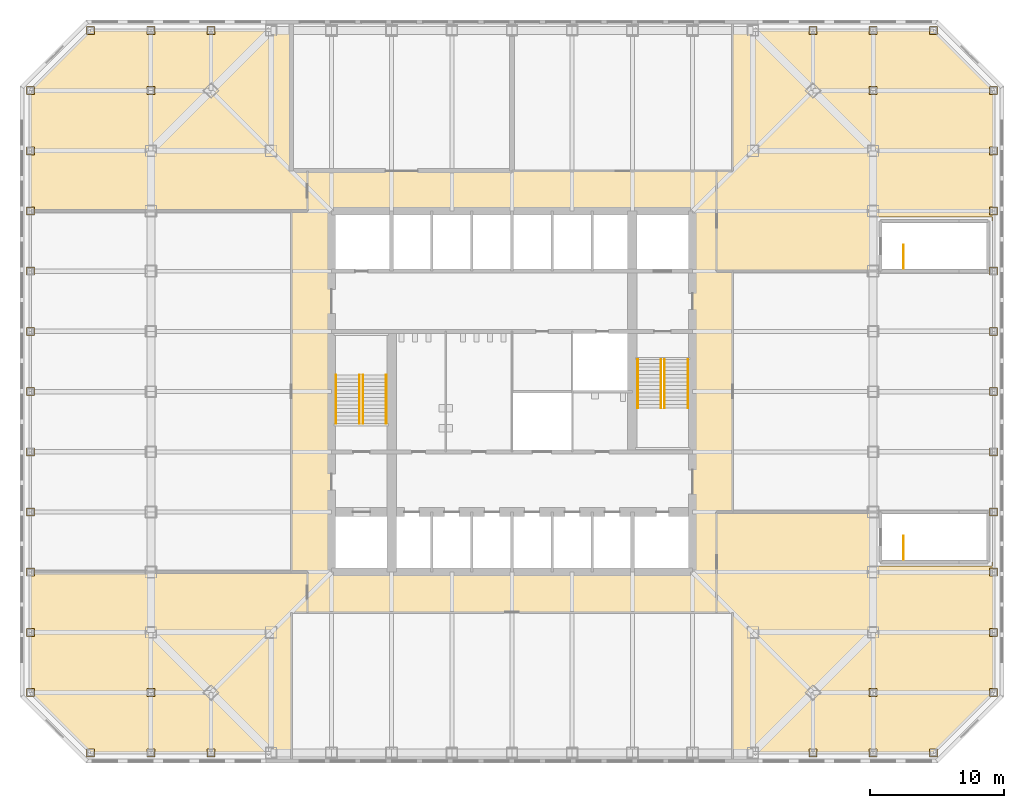
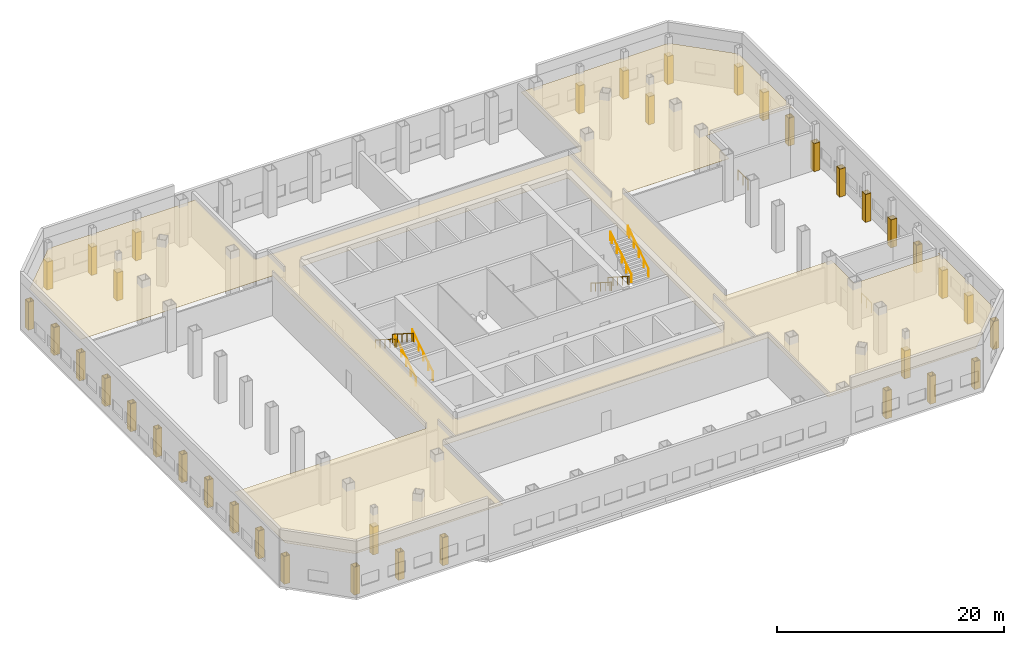
# One storey, part 13 of 14: 39 coverings, 10 railings.
"""IFC4 building model written with IfcOpenShell, lengths in metres."""

import ifcopenshell
import ifcopenshell.guid

model = None  # the IFC model being written
_history = None  # IfcOwnerHistory: only IFC2X3 demands one
_inside = {}  # id of a spatial element -> (the spatial element, [elements in it])
_under = {}  # id of a project, library or spatial element -> (it, [spatial elements below it])
_declared = {}  # id of a project -> (the project, [libraries it declares])
_typed = {}  # id of a type object -> (the type object, [elements of that type])
_made_of = {}  # id of a material, layer set ... -> (it, [elements and type objects made of it])


def new_model(schema):
    """Start an empty IFC model of exactly this schema.

    Asked for "IFC4X3", IfcOpenShell would pick the latest addendum, in which some entities
    have other attributes; the version numbers below select the first issue.
    IFC2X3 requires an IfcOwnerHistory on every rooted entity: one is made here for all.
    """
    global model, _history
    if schema == "IFC4X3":
        model = ifcopenshell.file(schema_version=(4, 3, 0, 0))
    else:
        model = ifcopenshell.file(schema=schema)
    _inside.clear()
    _under.clear()
    _declared.clear()
    _typed.clear()
    _made_of.clear()
    _history = None
    if model.schema == "IFC2X3":
        org = make("IfcOrganization", Name="unknown")
        user = make(
            "IfcPersonAndOrganization",
            ThePerson=make("IfcPerson", FamilyName="unknown"),
            TheOrganization=org,
        )
        app = make(
            "IfcApplication",
            ApplicationDeveloper=org,
            Version="unknown",
            ApplicationFullName="unknown",
            ApplicationIdentifier="unknown",
        )
        _history = make(
            "IfcOwnerHistory",
            OwningUser=user,
            OwningApplication=app,
            ChangeAction="ADDED",
            CreationDate=0,
        )
    return model


def make(cls, **values):
    """One entity of the class cls with the attributes given. An attribute that is None is left unset."""
    return model.create_entity(
        cls, **{name: value for name, value in values.items() if value is not None}
    )


def rooted(cls, **values):
    """An entity with a GlobalId (a new one), such as an element, a storey or a relation."""
    return make(cls, GlobalId=ifcopenshell.guid.new(), OwnerHistory=_history, **values)


def si_unit(unit_type, name, prefix=None):
    """IfcSIUnit, for example si_unit("LENGTHUNIT", "METRE", prefix="MILLI")."""
    return make("IfcSIUnit", UnitType=unit_type, Prefix=prefix, Name=name)


def assignment(units):
    """IfcUnitAssignment: the units of a project."""
    return None if units is None else make("IfcUnitAssignment", Units=units)


def point(xyz):
    """IfcCartesianPoint."""
    return None if xyz is None else make("IfcCartesianPoint", Coordinates=xyz)


def direction(xyz):
    """IfcDirection."""
    return None if xyz is None else make("IfcDirection", DirectionRatios=xyz)


def frame(location, z_axis=None, x_axis=None):
    """IfcAxis2Placement3D, a coordinate frame: its origin and axes. An axis left out is left unset."""
    return make(
        "IfcAxis2Placement3D",
        Location=point(location),
        Axis=direction(z_axis),
        RefDirection=direction(x_axis),
    )


def frame_2d(location, x_axis=None):
    """IfcAxis2Placement2D, a coordinate frame in the plane: its origin and x axis."""
    return make(
        "IfcAxis2Placement2D", Location=point(location), RefDirection=direction(x_axis)
    )


def origin():
    """The frame at (0, 0, 0) with its axes left unset."""
    return frame((0.0, 0.0, 0.0))


def origin_2d():
    """The frame at (0, 0) in the plane with its x axis left unset."""
    return frame_2d((0.0, 0.0))


def place(relative_to, where):
    """IfcLocalPlacement: puts the frame where relative to a parent placement (None: the world)."""
    return make(
        "IfcLocalPlacement", PlacementRelTo=relative_to, RelativePlacement=where
    )


def context(
    kind, dimensions, precision=None, world=None, true_north=None, identifier=None
):
    """IfcGeometricRepresentationContext, for example the 3D "Model" context."""
    return make(
        "IfcGeometricRepresentationContext",
        ContextIdentifier=identifier,
        ContextType=kind,
        CoordinateSpaceDimension=dimensions,
        Precision=precision,
        WorldCoordinateSystem=world,
        TrueNorth=true_north,
    )


def subcontext(parent, identifier, kind, view, scale=None):
    """IfcGeometricRepresentationSubContext, for example "Body" below "Model"."""
    return make(
        "IfcGeometricRepresentationSubContext",
        ContextIdentifier=identifier,
        ContextType=kind,
        ParentContext=parent,
        TargetScale=scale,
        TargetView=view,
    )


def project(units=None, contexts=None):
    """IfcProject with its units and contexts."""
    return rooted(
        "IfcProject",
        Name="project",
        RepresentationContexts=contexts,
        UnitsInContext=assignment(units),
    )


def spatial(cls, under=None, at=None, **own):
    """A site, building, storey or space (cls), placed at a placement, below another one or the project."""
    s = rooted(cls, ObjectPlacement=at, **own)
    if under is not None:
        _under.setdefault(under.id(), (under, []))[1].append(s)
    return s


def polyline(points):
    """IfcPolyline through the points."""
    return make("IfcPolyline", Points=[point(p) for p in points])


def profile(cls, at=None, kind="AREA", **sizes):
    """A parametric profile (cls). Its sizes go by their IFC names, for example OverallWidth=200.0."""
    return make(cls, ProfileType=kind, Position=at, **sizes)


def circle(**sizes):
    """IfcCircleProfileDef."""
    return profile("IfcCircleProfileDef", **sizes)


def outline(outer, holes=None, kind="AREA"):
    """IfcArbitraryClosedProfileDef: a profile drawn as a closed curve; with holes, ...WithVoids."""
    if holes is None:
        return make("IfcArbitraryClosedProfileDef", ProfileType=kind, OuterCurve=outer)
    return make(
        "IfcArbitraryProfileDefWithVoids",
        ProfileType=kind,
        OuterCurve=outer,
        InnerCurves=holes,
    )


def extrude(swept, where, along, depth):
    """IfcExtrudedAreaSolid: the profile swept, set in the frame where, extruded along a direction by depth."""
    return make(
        "IfcExtrudedAreaSolid",
        SweptArea=swept,
        Position=where,
        ExtrudedDirection=direction(along),
        Depth=depth,
    )


def shape(context_of_items, identifier, shape_type, items):
    """IfcShapeRepresentation: the items that make up one representation, for example the "Body"."""
    return make(
        "IfcShapeRepresentation",
        ContextOfItems=context_of_items,
        RepresentationIdentifier=identifier,
        RepresentationType=shape_type,
        Items=items,
    )


def material(Name=None, Category=None):
    """IfcMaterial."""
    return make("IfcMaterial", Name=Name, Category=Category)


def layer(
    of_material, thickness, ventilated=None, Name=None, Category=None, Priority=None
):
    """IfcMaterialLayer: one layer of a wall or slab, of a material (None: an air gap)."""
    return make(
        "IfcMaterialLayer",
        Material=of_material,
        LayerThickness=thickness,
        IsVentilated=ventilated,
        Name=Name,
        Category=Category,
        Priority=Priority,
    )


def layer_set(layers, Name=None):
    """IfcMaterialLayerSet."""
    return make("IfcMaterialLayerSet", MaterialLayers=layers, LayerSetName=Name)


def made_of(thing, what):
    """Note that an element or type object is made of a material, layer set ...; save() writes the relation."""
    if what is not None:
        _made_of.setdefault(what.id(), (what, []))[1].append(thing)
    return thing


def type_object(cls, material=None, **own):
    """A type object (cls), such as IfcWallType, which elements share."""
    return made_of(rooted(cls, **own), material)


def element(
    cls,
    number,
    at=None,
    inside=None,
    cuts=None,
    type_object=None,
    material=None,
    context=None,
    identifier="Body",
    shape_type=None,
    held_by="IfcProductDefinitionShape",
    body=None,
    shapes=None,
    **own,
):
    """One element of the class cls, such as IfcWall. Its Tag is "e" and its number.

    at: its placement. inside: the storey or other place that contains it. cuts: it is an
    opening in that element (IfcRelVoidsElement). A single representation is given by context,
    identifier, shape_type and body (its items); several are given by shapes. held_by: the class
    of the entity that holds the representations. save() writes the other relations.
    """
    e = rooted(cls, Tag="e%d" % number, ObjectPlacement=at, **own)
    if body is not None:
        shapes = [shape(context, identifier, shape_type, body)]
    if shapes is not None:
        e.Representation = make(held_by, Representations=shapes)
    if inside is not None:
        _inside.setdefault(inside.id(), (inside, []))[1].append(e)
    if cuts is not None:
        rooted(
            "IfcRelVoidsElement", RelatingBuildingElement=cuts, RelatedOpeningElement=e
        )
    if type_object is not None:
        _typed.setdefault(type_object.id(), (type_object, []))[1].append(e)
    return made_of(e, material)


def aggregate(whole, parts):
    """IfcRelAggregates: a whole, such as a stair, and the parts it consists of."""
    return rooted("IfcRelAggregates", RelatingObject=whole, RelatedObjects=parts)


def save(model, path):
    """Write the relations noted so far, then the file.

    IfcRelAggregates (storeys below a building ...), IfcRelContainedInSpatialStructure (elements
    in a storey), IfcRelDefinesByType, IfcRelAssociatesMaterial and IfcRelDeclares: one each for
    every whole, place, type object, material and project.
    """
    for whole, parts in _under.values():
        aggregate(whole, parts)
    for where, things in _inside.values():
        rooted(
            "IfcRelContainedInSpatialStructure",
            RelatedElements=things,
            RelatingStructure=where,
        )
    for kind, things in _typed.values():
        rooted("IfcRelDefinesByType", RelatedObjects=things, RelatingType=kind)
    for what, things in _made_of.values():
        rooted("IfcRelAssociatesMaterial", RelatedObjects=things, RelatingMaterial=what)
    for by, libraries in _declared.values():
        rooted("IfcRelDeclares", RelatingContext=by, RelatedDefinitions=libraries)
    model.write(path)


model = new_model("IFC4")

# Units and contexts
model_context = context("Model", 3, precision=1e-05, world=origin(), true_north=direction((0.0, 1.0)))
body_context = subcontext(model_context, "Body", "Model", "MODEL_VIEW")
ifc_project = project(units=[si_unit("LENGTHUNIT", "METRE"), si_unit("AREAUNIT", "SQUARE_METRE"), si_unit("VOLUMEUNIT", "CUBIC_METRE"), si_unit("PLANEANGLEUNIT", "RADIAN"), si_unit("MASSUNIT", "GRAM", prefix="KILO")], contexts=[model_context])

# Site, building, storey
site_placement = place(None, origin())
site = spatial("IfcSite", under=ifc_project, at=site_placement, CompositionType="ELEMENT")
building_placement = place(site_placement, origin())
building = spatial("IfcBuilding", under=site, at=building_placement, Name="Corais Broadcast Tower", CompositionType="ELEMENT")
storey_placement = place(building_placement, frame((0.0, 0.0, 18.0)))
storey = spatial("IfcBuildingStorey", under=building, at=storey_placement, Name="L03", CompositionType="ELEMENT", Elevation=18.0)

# Railings
ifc_material_1 = material(Name="Laminated glass and stainless steel guard", Category="steel")
railing_type_1 = type_object("IfcRailingType", Name="Glass guard 1100", PredefinedType="GUARDRAIL", material=ifc_material_1)
for number, where, name in (
    (1, (56.27490234375, 14.449951171875, 0.0), "GR1 stair well guard L03"),
    (2, (56.27490234375, 36.199951171875, 0.0), "GR1 stair well guard L03"),
):
    element("IfcRailing", number, at=place(storey_placement, frame(where)), inside=storey, type_object=railing_type_1, Name=name, PredefinedType="GUARDRAIL", context=body_context, shape_type="SweptSolid", body=[
        extrude(circle(Radius=0.02392578125, at=origin_2d()), frame((0.0, 0.0, 1.076171875), z_axis=(0.0, 1.0, 0.0), x_axis=(-1.0, 0.0, 0.0)), (0.0, 0.0, 1.0), 1.75),
        extrude(circle(Radius=0.02099609375, at=origin_2d()), origin(), (0.0, 0.0, 1.0), 1.052001953125),
        extrude(circle(Radius=0.02099609375, at=origin_2d()), frame((0.0, 0.875, 0.0)), (0.0, 0.0, 1.0), 1.052001953125),
        extrude(circle(Radius=0.02099609375, at=origin_2d()), frame((0.0, 1.75, 0.0)), (0.0, 0.0, 1.0), 1.052001953125),
    ])
ifc_material_2 = material(Name="Stainless steel handrail", Category="steel")
railing_type_2 = type_object("IfcRailingType", Name="Handrail 920", PredefinedType="HANDRAIL", material=ifc_material_2)
for number, where, name in (
    (3, (17.60009765625, 24.60009765625, 0.178466796875), "HR1 L03"),
    (4, (15.85009765625, 24.60009765625, 0.178466796875), "HR1 L03"),
):
    element("IfcRailing", number, at=place(storey_placement, frame(where)), inside=storey, type_object=railing_type_2, Name=name, PredefinedType="HANDRAIL", context=body_context, shape_type="SweptSolid", body=[
        extrude(circle(Radius=0.02392578125, at=origin_2d()), frame((0.0, 0.0, 0.89599609375), z_axis=(0.0, 0.843111507901, 0.53773877045), x_axis=(-1.0, 0.0, 0.0)), (0.0, 0.0, 1.0), 4.317138671875),
        extrude(circle(Radius=0.02099609375, at=origin_2d()), origin(), (0.0, 0.0, 1.0), 0.871826171875),
        extrude(circle(Radius=0.02099609375, at=origin_2d()), frame((0.0, 0.840087890625, 0.53564453125)), (0.0, 0.0, 1.0), 0.871826171875),
        extrude(circle(Radius=0.02099609375, at=origin_2d()), frame((0.0, 1.679931640625, 1.071533203125)), (0.0, 0.0, 1.0), 0.871826171875),
        extrude(circle(Radius=0.02099609375, at=origin_2d()), frame((0.0, 2.52001953125, 1.607177734375)), (0.0, 0.0, 1.0), 0.871826171875),
        extrude(circle(Radius=0.02099609375, at=origin_2d()), frame((0.0, 3.35986328125, 2.14306640625)), (0.0, 0.0, 1.0), 0.871826171875),
        extrude(circle(Radius=0.02099609375, at=origin_2d()), frame((0.0, 3.639892578125, 2.321533203125)), (0.0, 0.0, 1.0), 0.871826171875),
    ])
for number, where, name in (
    (5, (13.85009765625, 28.239990234375, 2.678466796875), "HR1 L03"),
    (6, (15.60009765625, 28.239990234375, 2.678466796875), "HR1 L03"),
    (7, (36.39990234375, 29.39990234375, 0.178466796875), "HR1 L03"),
    (8, (38.14990234375, 29.39990234375, 0.178466796875), "HR1 L03"),
):
    element("IfcRailing", number, at=place(storey_placement, frame(where)), inside=storey, type_object=railing_type_2, Name=name, PredefinedType="HANDRAIL", context=body_context, shape_type="SweptSolid", body=[
        extrude(circle(Radius=0.02392578125, at=origin_2d()), frame((0.0, 0.0, 0.89599609375), z_axis=(0.0, -0.843111507901, 0.53773877045), x_axis=(1.0, 0.0, 0.0)), (0.0, 0.0, 1.0), 4.317138671875),
        extrude(circle(Radius=0.02099609375, at=origin_2d()), origin(), (0.0, 0.0, 1.0), 0.871826171875),
        extrude(circle(Radius=0.02099609375, at=origin_2d()), frame((0.0, -0.840087890625, 0.53564453125)), (0.0, 0.0, 1.0), 0.871826171875),
        extrude(circle(Radius=0.02099609375, at=origin_2d()), frame((0.0, -1.679931640625, 1.071533203125)), (0.0, 0.0, 1.0), 0.871826171875),
        extrude(circle(Radius=0.02099609375, at=origin_2d()), frame((0.0, -2.52001953125, 1.607177734375)), (0.0, 0.0, 1.0), 0.871826171875),
        extrude(circle(Radius=0.02099609375, at=origin_2d()), frame((0.0, -3.35986328125, 2.14306640625)), (0.0, 0.0, 1.0), 0.871826171875),
        extrude(circle(Radius=0.02099609375, at=origin_2d()), frame((0.0, -3.639892578125, 2.321533203125)), (0.0, 0.0, 1.0), 0.871826171875),
    ])
for number, where, name in (
    (9, (40.14990234375, 25.760009765625, 2.678466796875), "HR1 L03"),
    (10, (38.39990234375, 25.760009765625, 2.678466796875), "HR1 L03"),
):
    element("IfcRailing", number, at=place(storey_placement, frame(where)), inside=storey, type_object=railing_type_2, Name=name, PredefinedType="HANDRAIL", context=body_context, shape_type="SweptSolid", body=[
        extrude(circle(Radius=0.02392578125, at=origin_2d()), frame((0.0, 0.0, 0.89599609375), z_axis=(0.0, 0.843111507901, 0.53773877045), x_axis=(-1.0, 0.0, 0.0)), (0.0, 0.0, 1.0), 4.317138671875),
        extrude(circle(Radius=0.02099609375, at=origin_2d()), origin(), (0.0, 0.0, 1.0), 0.871826171875),
        extrude(circle(Radius=0.02099609375, at=origin_2d()), frame((0.0, 0.840087890625, 0.53564453125)), (0.0, 0.0, 1.0), 0.871826171875),
        extrude(circle(Radius=0.02099609375, at=origin_2d()), frame((0.0, 1.679931640625, 1.071533203125)), (0.0, 0.0, 1.0), 0.871826171875),
        extrude(circle(Radius=0.02099609375, at=origin_2d()), frame((0.0, 2.52001953125, 1.607177734375)), (0.0, 0.0, 1.0), 0.871826171875),
        extrude(circle(Radius=0.02099609375, at=origin_2d()), frame((0.0, 3.35986328125, 2.14306640625)), (0.0, 0.0, 1.0), 0.871826171875),
        extrude(circle(Radius=0.02099609375, at=origin_2d()), frame((0.0, 3.639892578125, 2.321533203125)), (0.0, 0.0, 1.0), 0.871826171875),
    ])

# Coverings
ifc_material_3 = material(Name="Granite stone cladding", Category="masonry")
ifc_layer_1 = layer(ifc_material_3, 0.050048828125)
ifc_layer_set_1 = layer_set([ifc_layer_1], Name="Granite stone cladding")
covering_type_1 = type_object("IfcCoveringType", Name="Pier cladding", PredefinedType="CLADDING", material=ifc_layer_set_1)
covering_1_placement = place(storey_placement, origin())
element("IfcCovering", 11, at=covering_1_placement, inside=storey, type_object=covering_type_1, Name="PC pier cladding L03", PredefinedType="CLADDING", context=body_context, shape_type="SweptSolid", body=[
    extrude(outline(polyline([(-9.300048828125, 4.199951171875), (-8.699951171875, 4.199951171875), (-8.699951171875, 4.800048828125), (-9.300048828125, 4.800048828125), (-9.300048828125, 4.199951171875)]), holes=[polyline([(-9.25, 4.25), (-8.75, 4.25), (-8.75, 4.75), (-9.25, 4.75), (-9.25, 4.25)])]), origin(), (0.0, 0.0, 1.0), 3.0),
])
covering_2_placement = place(storey_placement, origin())
element("IfcCovering", 12, at=covering_2_placement, inside=storey, type_object=covering_type_1, Name="PC pier cladding L03", PredefinedType="CLADDING", context=body_context, shape_type="SweptSolid", body=[
    extrude(outline(polyline([(62.699951171875, 4.199951171875), (63.300048828125, 4.199951171875), (63.300048828125, 4.800048828125), (62.699951171875, 4.800048828125), (62.699951171875, 4.199951171875)]), holes=[polyline([(62.75, 4.25), (63.25, 4.25), (63.25, 4.75), (62.75, 4.75), (62.75, 4.25)])]), origin(), (0.0, 0.0, 1.0), 3.0),
])
covering_3_placement = place(storey_placement, origin())
element("IfcCovering", 13, at=covering_3_placement, inside=storey, type_object=covering_type_1, Name="PC pier cladding L03", PredefinedType="CLADDING", context=body_context, shape_type="SweptSolid", body=[
    extrude(outline(polyline([(-9.300048828125, 8.699951171875), (-8.699951171875, 8.699951171875), (-8.699951171875, 9.300048828125), (-9.300048828125, 9.300048828125), (-9.300048828125, 8.699951171875)]), holes=[polyline([(-9.25, 8.75), (-8.75, 8.75), (-8.75, 9.25), (-9.25, 9.25), (-9.25, 8.75)])]), origin(), (0.0, 0.0, 1.0), 3.0),
])
covering_4_placement = place(storey_placement, origin())
element("IfcCovering", 14, at=covering_4_placement, inside=storey, type_object=covering_type_1, Name="PC pier cladding L03", PredefinedType="CLADDING", context=body_context, shape_type="SweptSolid", body=[
    extrude(outline(polyline([(62.699951171875, 8.699951171875), (63.300048828125, 8.699951171875), (63.300048828125, 9.300048828125), (62.699951171875, 9.300048828125), (62.699951171875, 8.699951171875)]), holes=[polyline([(62.75, 8.75), (63.25, 8.75), (63.25, 9.25), (62.75, 9.25), (62.75, 8.75)])]), origin(), (0.0, 0.0, 1.0), 3.0),
])
covering_5_placement = place(storey_placement, origin())
element("IfcCovering", 15, at=covering_5_placement, inside=storey, type_object=covering_type_1, Name="PC pier cladding L03", PredefinedType="CLADDING", context=body_context, shape_type="SweptSolid", body=[
    extrude(outline(polyline([(-9.300048828125, 13.199951171875), (-8.699951171875, 13.199951171875), (-8.699951171875, 13.800048828125), (-9.300048828125, 13.800048828125), (-9.300048828125, 13.199951171875)]), holes=[polyline([(-9.25, 13.25), (-8.75, 13.25), (-8.75, 13.75), (-9.25, 13.75), (-9.25, 13.25)])]), origin(), (0.0, 0.0, 1.0), 3.0),
])
covering_6_placement = place(storey_placement, origin())
element("IfcCovering", 16, at=covering_6_placement, inside=storey, type_object=covering_type_1, Name="PC pier cladding L03", PredefinedType="CLADDING", context=body_context, shape_type="SweptSolid", body=[
    extrude(outline(polyline([(62.699951171875, 13.199951171875), (63.300048828125, 13.199951171875), (63.300048828125, 13.800048828125), (62.699951171875, 13.800048828125), (62.699951171875, 13.199951171875)]), holes=[polyline([(62.75, 13.25), (63.25, 13.25), (63.25, 13.75), (62.75, 13.75), (62.75, 13.25)])]), origin(), (0.0, 0.0, 1.0), 3.0),
])
covering_7_placement = place(storey_placement, origin())
element("IfcCovering", 17, at=covering_7_placement, inside=storey, type_object=covering_type_1, Name="PC pier cladding L03", PredefinedType="CLADDING", context=body_context, shape_type="SweptSolid", body=[
    extrude(outline(polyline([(-9.300048828125, 17.699951171875), (-8.699951171875, 17.699951171875), (-8.699951171875, 18.300048828125), (-9.300048828125, 18.300048828125), (-9.300048828125, 17.699951171875)]), holes=[polyline([(-9.25, 17.75), (-8.75, 17.75), (-8.75, 18.25), (-9.25, 18.25), (-9.25, 17.75)])]), origin(), (0.0, 0.0, 1.0), 3.0),
])
covering_8_placement = place(storey_placement, origin())
element("IfcCovering", 18, at=covering_8_placement, inside=storey, type_object=covering_type_1, Name="PC pier cladding L03", PredefinedType="CLADDING", context=body_context, shape_type="SweptSolid", body=[
    extrude(outline(polyline([(62.699951171875, 17.699951171875), (63.300048828125, 17.699951171875), (63.300048828125, 18.300048828125), (62.699951171875, 18.300048828125), (62.699951171875, 17.699951171875)]), holes=[polyline([(62.75, 17.75), (63.25, 17.75), (63.25, 18.25), (62.75, 18.25), (62.75, 17.75)])]), origin(), (0.0, 0.0, 1.0), 3.0),
])
covering_9_placement = place(storey_placement, origin())
element("IfcCovering", 19, at=covering_9_placement, inside=storey, type_object=covering_type_1, Name="PC pier cladding L03", PredefinedType="CLADDING", context=body_context, shape_type="SweptSolid", body=[
    extrude(outline(polyline([(-9.300048828125, 22.199951171875), (-8.699951171875, 22.199951171875), (-8.699951171875, 22.800048828125), (-9.300048828125, 22.800048828125), (-9.300048828125, 22.199951171875)]), holes=[polyline([(-9.25, 22.25), (-8.75, 22.25), (-8.75, 22.75), (-9.25, 22.75), (-9.25, 22.25)])]), origin(), (0.0, 0.0, 1.0), 3.0),
])
covering_10_placement = place(storey_placement, origin())
element("IfcCovering", 20, at=covering_10_placement, inside=storey, type_object=covering_type_1, Name="PC pier cladding L03", PredefinedType="CLADDING", context=body_context, shape_type="SweptSolid", body=[
    extrude(outline(polyline([(62.699951171875, 22.199951171875), (63.300048828125, 22.199951171875), (63.300048828125, 22.800048828125), (62.699951171875, 22.800048828125), (62.699951171875, 22.199951171875)]), holes=[polyline([(62.75, 22.25), (63.25, 22.25), (63.25, 22.75), (62.75, 22.75), (62.75, 22.25)])]), origin(), (0.0, 0.0, 1.0), 3.0),
])
covering_11_placement = place(storey_placement, origin())
element("IfcCovering", 21, at=covering_11_placement, inside=storey, type_object=covering_type_1, Name="PC pier cladding L03", PredefinedType="CLADDING", context=body_context, shape_type="SweptSolid", body=[
    extrude(outline(polyline([(-9.300048828125, 26.699951171875), (-8.699951171875, 26.699951171875), (-8.699951171875, 27.300048828125), (-9.300048828125, 27.300048828125), (-9.300048828125, 26.699951171875)]), holes=[polyline([(-9.25, 26.75), (-8.75, 26.75), (-8.75, 27.25), (-9.25, 27.25), (-9.25, 26.75)])]), origin(), (0.0, 0.0, 1.0), 3.0),
])
covering_12_placement = place(storey_placement, origin())
element("IfcCovering", 22, at=covering_12_placement, inside=storey, type_object=covering_type_1, Name="PC pier cladding L03", PredefinedType="CLADDING", context=body_context, shape_type="SweptSolid", body=[
    extrude(outline(polyline([(62.699951171875, 26.699951171875), (63.300048828125, 26.699951171875), (63.300048828125, 27.300048828125), (62.699951171875, 27.300048828125), (62.699951171875, 26.699951171875)]), holes=[polyline([(62.75, 26.75), (63.25, 26.75), (63.25, 27.25), (62.75, 27.25), (62.75, 26.75)])]), origin(), (0.0, 0.0, 1.0), 3.0),
])
covering_13_placement = place(storey_placement, origin())
element("IfcCovering", 23, at=covering_13_placement, inside=storey, type_object=covering_type_1, Name="PC pier cladding L03", PredefinedType="CLADDING", context=body_context, shape_type="SweptSolid", body=[
    extrude(outline(polyline([(-9.300048828125, 31.199951171875), (-8.699951171875, 31.199951171875), (-8.699951171875, 31.800048828125), (-9.300048828125, 31.800048828125), (-9.300048828125, 31.199951171875)]), holes=[polyline([(-9.25, 31.25), (-8.75, 31.25), (-8.75, 31.75), (-9.25, 31.75), (-9.25, 31.25)])]), origin(), (0.0, 0.0, 1.0), 3.0),
])
covering_14_placement = place(storey_placement, origin())
element("IfcCovering", 24, at=covering_14_placement, inside=storey, type_object=covering_type_1, Name="PC pier cladding L03", PredefinedType="CLADDING", context=body_context, shape_type="SweptSolid", body=[
    extrude(outline(polyline([(62.699951171875, 31.199951171875), (63.300048828125, 31.199951171875), (63.300048828125, 31.800048828125), (62.699951171875, 31.800048828125), (62.699951171875, 31.199951171875)]), holes=[polyline([(62.75, 31.25), (63.25, 31.25), (63.25, 31.75), (62.75, 31.75), (62.75, 31.25)])]), origin(), (0.0, 0.0, 1.0), 3.0),
])
covering_15_placement = place(storey_placement, origin())
element("IfcCovering", 25, at=covering_15_placement, inside=storey, type_object=covering_type_1, Name="PC pier cladding L03", PredefinedType="CLADDING", context=body_context, shape_type="SweptSolid", body=[
    extrude(outline(polyline([(-9.300048828125, 35.699951171875), (-8.699951171875, 35.699951171875), (-8.699951171875, 36.300048828125), (-9.300048828125, 36.300048828125), (-9.300048828125, 35.699951171875)]), holes=[polyline([(-9.25, 35.75), (-8.75, 35.75), (-8.75, 36.25), (-9.25, 36.25), (-9.25, 35.75)])]), origin(), (0.0, 0.0, 1.0), 3.0),
])
covering_16_placement = place(storey_placement, origin())
element("IfcCovering", 26, at=covering_16_placement, inside=storey, type_object=covering_type_1, Name="PC pier cladding L03", PredefinedType="CLADDING", context=body_context, shape_type="SweptSolid", body=[
    extrude(outline(polyline([(62.699951171875, 35.699951171875), (63.300048828125, 35.699951171875), (63.300048828125, 36.300048828125), (62.699951171875, 36.300048828125), (62.699951171875, 35.699951171875)]), holes=[polyline([(62.75, 35.75), (63.25, 35.75), (63.25, 36.25), (62.75, 36.25), (62.75, 35.75)])]), origin(), (0.0, 0.0, 1.0), 3.0),
])
covering_17_placement = place(storey_placement, origin())
element("IfcCovering", 27, at=covering_17_placement, inside=storey, type_object=covering_type_1, Name="PC pier cladding L03", PredefinedType="CLADDING", context=body_context, shape_type="SweptSolid", body=[
    extrude(outline(polyline([(-9.300048828125, 40.199951171875), (-8.699951171875, 40.199951171875), (-8.699951171875, 40.800048828125), (-9.300048828125, 40.800048828125), (-9.300048828125, 40.199951171875)]), holes=[polyline([(-9.25, 40.25), (-8.75, 40.25), (-8.75, 40.75), (-9.25, 40.75), (-9.25, 40.25)])]), origin(), (0.0, 0.0, 1.0), 3.0),
])
covering_18_placement = place(storey_placement, origin())
element("IfcCovering", 28, at=covering_18_placement, inside=storey, type_object=covering_type_1, Name="PC pier cladding L03", PredefinedType="CLADDING", context=body_context, shape_type="SweptSolid", body=[
    extrude(outline(polyline([(62.699951171875, 40.199951171875), (63.300048828125, 40.199951171875), (63.300048828125, 40.800048828125), (62.699951171875, 40.800048828125), (62.699951171875, 40.199951171875)]), holes=[polyline([(62.75, 40.25), (63.25, 40.25), (63.25, 40.75), (62.75, 40.75), (62.75, 40.25)])]), origin(), (0.0, 0.0, 1.0), 3.0),
])
covering_19_placement = place(storey_placement, origin())
element("IfcCovering", 29, at=covering_19_placement, inside=storey, type_object=covering_type_1, Name="PC pier cladding L03", PredefinedType="CLADDING", context=body_context, shape_type="SweptSolid", body=[
    extrude(outline(polyline([(-9.300048828125, 44.699951171875), (-8.699951171875, 44.699951171875), (-8.699951171875, 45.300048828125), (-9.300048828125, 45.300048828125), (-9.300048828125, 44.699951171875)]), holes=[polyline([(-9.25, 44.75), (-8.75, 44.75), (-8.75, 45.25), (-9.25, 45.25), (-9.25, 44.75)])]), origin(), (0.0, 0.0, 1.0), 3.0),
])
covering_20_placement = place(storey_placement, origin())
element("IfcCovering", 30, at=covering_20_placement, inside=storey, type_object=covering_type_1, Name="PC pier cladding L03", PredefinedType="CLADDING", context=body_context, shape_type="SweptSolid", body=[
    extrude(outline(polyline([(62.699951171875, 44.699951171875), (63.300048828125, 44.699951171875), (63.300048828125, 45.300048828125), (62.699951171875, 45.300048828125), (62.699951171875, 44.699951171875)]), holes=[polyline([(62.75, 44.75), (63.25, 44.75), (63.25, 45.25), (62.75, 45.25), (62.75, 44.75)])]), origin(), (0.0, 0.0, 1.0), 3.0),
])
covering_21_placement = place(storey_placement, origin())
element("IfcCovering", 31, at=covering_21_placement, inside=storey, type_object=covering_type_1, Name="PC pier cladding L03", PredefinedType="CLADDING", context=body_context, shape_type="SweptSolid", body=[
    extrude(outline(polyline([(-9.300048828125, 49.199951171875), (-8.699951171875, 49.199951171875), (-8.699951171875, 49.800048828125), (-9.300048828125, 49.800048828125), (-9.300048828125, 49.199951171875)]), holes=[polyline([(-9.25, 49.25), (-8.75, 49.25), (-8.75, 49.75), (-9.25, 49.75), (-9.25, 49.25)])]), origin(), (0.0, 0.0, 1.0), 3.0),
])
covering_22_placement = place(storey_placement, origin())
element("IfcCovering", 32, at=covering_22_placement, inside=storey, type_object=covering_type_1, Name="PC pier cladding L03", PredefinedType="CLADDING", context=body_context, shape_type="SweptSolid", body=[
    extrude(outline(polyline([(62.699951171875, 49.199951171875), (63.300048828125, 49.199951171875), (63.300048828125, 49.800048828125), (62.699951171875, 49.800048828125), (62.699951171875, 49.199951171875)]), holes=[polyline([(62.75, 49.25), (63.25, 49.25), (63.25, 49.75), (62.75, 49.75), (62.75, 49.25)])]), origin(), (0.0, 0.0, 1.0), 3.0),
])
covering_23_placement = place(storey_placement, origin())
element("IfcCovering", 33, at=covering_23_placement, inside=storey, type_object=covering_type_1, Name="PC pier cladding L03", PredefinedType="CLADDING", context=body_context, shape_type="SweptSolid", body=[
    extrude(outline(polyline([(-4.800048828125, -0.300048828125), (-4.199951171875, -0.300048828125), (-4.199951171875, 0.300048828125), (-4.800048828125, 0.300048828125), (-4.800048828125, -0.300048828125)]), holes=[polyline([(-4.75, -0.25), (-4.25, -0.25), (-4.25, 0.25), (-4.75, 0.25), (-4.75, -0.25)])]), origin(), (0.0, 0.0, 1.0), 3.0),
])
covering_24_placement = place(storey_placement, origin())
element("IfcCovering", 34, at=covering_24_placement, inside=storey, type_object=covering_type_1, Name="PC pier cladding L03", PredefinedType="CLADDING", context=body_context, shape_type="SweptSolid", body=[
    extrude(outline(polyline([(-4.800048828125, 53.699951171875), (-4.199951171875, 53.699951171875), (-4.199951171875, 54.300048828125), (-4.800048828125, 54.300048828125), (-4.800048828125, 53.699951171875)]), holes=[polyline([(-4.75, 53.75), (-4.25, 53.75), (-4.25, 54.25), (-4.75, 54.25), (-4.75, 53.75)])]), origin(), (0.0, 0.0, 1.0), 3.0),
])
covering_25_placement = place(storey_placement, origin())
element("IfcCovering", 35, at=covering_25_placement, inside=storey, type_object=covering_type_1, Name="PC pier cladding L03", PredefinedType="CLADDING", context=body_context, shape_type="SweptSolid", body=[
    extrude(outline(polyline([(58.199951171875, -0.300048828125), (58.800048828125, -0.300048828125), (58.800048828125, 0.300048828125), (58.199951171875, 0.300048828125), (58.199951171875, -0.300048828125)]), holes=[polyline([(58.25, -0.25), (58.75, -0.25), (58.75, 0.25), (58.25, 0.25), (58.25, -0.25)])]), origin(), (0.0, 0.0, 1.0), 3.0),
])
covering_26_placement = place(storey_placement, origin())
element("IfcCovering", 36, at=covering_26_placement, inside=storey, type_object=covering_type_1, Name="PC pier cladding L03", PredefinedType="CLADDING", context=body_context, shape_type="SweptSolid", body=[
    extrude(outline(polyline([(58.199951171875, 53.699951171875), (58.800048828125, 53.699951171875), (58.800048828125, 54.300048828125), (58.199951171875, 54.300048828125), (58.199951171875, 53.699951171875)]), holes=[polyline([(58.25, 53.75), (58.75, 53.75), (58.75, 54.25), (58.25, 54.25), (58.25, 53.75)])]), origin(), (0.0, 0.0, 1.0), 3.0),
])
covering_27_placement = place(storey_placement, origin())
element("IfcCovering", 37, at=covering_27_placement, inside=storey, type_object=covering_type_1, Name="PC pier cladding L03", PredefinedType="CLADDING", context=body_context, shape_type="SweptSolid", body=[
    extrude(outline(polyline([(-0.300048828125, -0.300048828125), (0.300048828125, -0.300048828125), (0.300048828125, 0.300048828125), (-0.300048828125, 0.300048828125), (-0.300048828125, -0.300048828125)]), holes=[polyline([(-0.25, -0.25), (0.25, -0.25), (0.25, 0.25), (-0.25, 0.25), (-0.25, -0.25)])]), origin(), (0.0, 0.0, 1.0), 3.0),
])
covering_28_placement = place(storey_placement, origin())
element("IfcCovering", 38, at=covering_28_placement, inside=storey, type_object=covering_type_1, Name="PC pier cladding L03", PredefinedType="CLADDING", context=body_context, shape_type="SweptSolid", body=[
    extrude(outline(polyline([(4.199951171875, -0.300048828125), (4.800048828125, -0.300048828125), (4.800048828125, 0.300048828125), (4.199951171875, 0.300048828125), (4.199951171875, -0.300048828125)]), holes=[polyline([(4.25, -0.25), (4.75, -0.25), (4.75, 0.25), (4.25, 0.25), (4.25, -0.25)])]), origin(), (0.0, 0.0, 1.0), 3.0),
])
covering_29_placement = place(storey_placement, origin())
element("IfcCovering", 39, at=covering_29_placement, inside=storey, type_object=covering_type_1, Name="PC pier cladding L03", PredefinedType="CLADDING", context=body_context, shape_type="SweptSolid", body=[
    extrude(outline(polyline([(-0.300048828125, 4.199951171875), (0.300048828125, 4.199951171875), (0.300048828125, 4.800048828125), (-0.300048828125, 4.800048828125), (-0.300048828125, 4.199951171875)]), holes=[polyline([(-0.25, 4.25), (0.25, 4.25), (0.25, 4.75), (-0.25, 4.75), (-0.25, 4.25)])]), origin(), (0.0, 0.0, 1.0), 3.0),
])
covering_30_placement = place(storey_placement, origin())
element("IfcCovering", 40, at=covering_30_placement, inside=storey, type_object=covering_type_1, Name="PC pier cladding L03", PredefinedType="CLADDING", context=body_context, shape_type="SweptSolid", body=[
    extrude(outline(polyline([(53.699951171875, -0.300048828125), (54.300048828125, -0.300048828125), (54.300048828125, 0.300048828125), (53.699951171875, 0.300048828125), (53.699951171875, -0.300048828125)]), holes=[polyline([(53.75, -0.25), (54.25, -0.25), (54.25, 0.25), (53.75, 0.25), (53.75, -0.25)])]), origin(), (0.0, 0.0, 1.0), 3.0),
])
covering_31_placement = place(storey_placement, origin())
element("IfcCovering", 41, at=covering_31_placement, inside=storey, type_object=covering_type_1, Name="PC pier cladding L03", PredefinedType="CLADDING", context=body_context, shape_type="SweptSolid", body=[
    extrude(outline(polyline([(49.199951171875, -0.300048828125), (49.800048828125, -0.300048828125), (49.800048828125, 0.300048828125), (49.199951171875, 0.300048828125), (49.199951171875, -0.300048828125)]), holes=[polyline([(49.25, -0.25), (49.75, -0.25), (49.75, 0.25), (49.25, 0.25), (49.25, -0.25)])]), origin(), (0.0, 0.0, 1.0), 3.0),
])
covering_32_placement = place(storey_placement, origin())
element("IfcCovering", 42, at=covering_32_placement, inside=storey, type_object=covering_type_1, Name="PC pier cladding L03", PredefinedType="CLADDING", context=body_context, shape_type="SweptSolid", body=[
    extrude(outline(polyline([(53.699951171875, 4.199951171875), (54.300048828125, 4.199951171875), (54.300048828125, 4.800048828125), (53.699951171875, 4.800048828125), (53.699951171875, 4.199951171875)]), holes=[polyline([(53.75, 4.25), (54.25, 4.25), (54.25, 4.75), (53.75, 4.75), (53.75, 4.25)])]), origin(), (0.0, 0.0, 1.0), 3.0),
])
covering_33_placement = place(storey_placement, origin())
element("IfcCovering", 43, at=covering_33_placement, inside=storey, type_object=covering_type_1, Name="PC pier cladding L03", PredefinedType="CLADDING", context=body_context, shape_type="SweptSolid", body=[
    extrude(outline(polyline([(53.699951171875, 53.699951171875), (54.300048828125, 53.699951171875), (54.300048828125, 54.300048828125), (53.699951171875, 54.300048828125), (53.699951171875, 53.699951171875)]), holes=[polyline([(53.75, 53.75), (54.25, 53.75), (54.25, 54.25), (53.75, 54.25), (53.75, 53.75)])]), origin(), (0.0, 0.0, 1.0), 3.0),
])
covering_34_placement = place(storey_placement, origin())
element("IfcCovering", 44, at=covering_34_placement, inside=storey, type_object=covering_type_1, Name="PC pier cladding L03", PredefinedType="CLADDING", context=body_context, shape_type="SweptSolid", body=[
    extrude(outline(polyline([(49.199951171875, 53.699951171875), (49.800048828125, 53.699951171875), (49.800048828125, 54.300048828125), (49.199951171875, 54.300048828125), (49.199951171875, 53.699951171875)]), holes=[polyline([(49.25, 53.75), (49.75, 53.75), (49.75, 54.25), (49.25, 54.25), (49.25, 53.75)])]), origin(), (0.0, 0.0, 1.0), 3.0),
])
covering_35_placement = place(storey_placement, origin())
element("IfcCovering", 45, at=covering_35_placement, inside=storey, type_object=covering_type_1, Name="PC pier cladding L03", PredefinedType="CLADDING", context=body_context, shape_type="SweptSolid", body=[
    extrude(outline(polyline([(53.699951171875, 49.199951171875), (54.300048828125, 49.199951171875), (54.300048828125, 49.800048828125), (53.699951171875, 49.800048828125), (53.699951171875, 49.199951171875)]), holes=[polyline([(53.75, 49.25), (54.25, 49.25), (54.25, 49.75), (53.75, 49.75), (53.75, 49.25)])]), origin(), (0.0, 0.0, 1.0), 3.0),
])
covering_36_placement = place(storey_placement, origin())
element("IfcCovering", 46, at=covering_36_placement, inside=storey, type_object=covering_type_1, Name="PC pier cladding L03", PredefinedType="CLADDING", context=body_context, shape_type="SweptSolid", body=[
    extrude(outline(polyline([(-0.300048828125, 53.699951171875), (0.300048828125, 53.699951171875), (0.300048828125, 54.300048828125), (-0.300048828125, 54.300048828125), (-0.300048828125, 53.699951171875)]), holes=[polyline([(-0.25, 53.75), (0.25, 53.75), (0.25, 54.25), (-0.25, 54.25), (-0.25, 53.75)])]), origin(), (0.0, 0.0, 1.0), 3.0),
])
covering_37_placement = place(storey_placement, origin())
element("IfcCovering", 47, at=covering_37_placement, inside=storey, type_object=covering_type_1, Name="PC pier cladding L03", PredefinedType="CLADDING", context=body_context, shape_type="SweptSolid", body=[
    extrude(outline(polyline([(4.199951171875, 53.699951171875), (4.800048828125, 53.699951171875), (4.800048828125, 54.300048828125), (4.199951171875, 54.300048828125), (4.199951171875, 53.699951171875)]), holes=[polyline([(4.25, 53.75), (4.75, 53.75), (4.75, 54.25), (4.25, 54.25), (4.25, 53.75)])]), origin(), (0.0, 0.0, 1.0), 3.0),
])
covering_38_placement = place(storey_placement, origin())
element("IfcCovering", 48, at=covering_38_placement, inside=storey, type_object=covering_type_1, Name="PC pier cladding L03", PredefinedType="CLADDING", context=body_context, shape_type="SweptSolid", body=[
    extrude(outline(polyline([(-0.300048828125, 49.199951171875), (0.300048828125, 49.199951171875), (0.300048828125, 49.800048828125), (-0.300048828125, 49.800048828125), (-0.300048828125, 49.199951171875)]), holes=[polyline([(-0.25, 49.25), (0.25, 49.25), (0.25, 49.75), (-0.25, 49.75), (-0.25, 49.25)])]), origin(), (0.0, 0.0, 1.0), 3.0),
])
ifc_material_4 = material(Name="Mineral fibre ceiling tile", Category="mineral")
ifc_layer_2 = layer(ifc_material_4, 0.02001953125)
ifc_layer_set_2 = layer_set([ifc_layer_2], Name="Mineral fibre ceiling tile")
covering_type_2 = type_object("IfcCoveringType", Name="Suspended ceiling", PredefinedType="CEILING", material=ifc_layer_set_2)
covering_39_placement = place(storey_placement, frame((0.0, 0.0, 4.179931640625)))
element("IfcCovering", 49, at=covering_39_placement, inside=storey, type_object=covering_type_2, Name="CE1 ceiling L03", PredefinedType="CEILING", context=body_context, shape_type="SweptSolid", body=[
    extrude(outline(polyline([(-4.5, 0.0), (-9.0, 4.5), (-9.0, 13.5), (10.5, 13.5), (10.5, 40.5), (-9.0, 40.5), (-9.0, 49.5), (-4.5, 54.0), (10.5, 54.0), (10.5, 43.5), (43.5, 43.5), (43.5, 54.0), (58.5, 54.0), (63.0, 49.5), (63.0, 39.75), (62.89990234375, 39.75), (62.89990234375, 40.050048828125), (54.25, 40.050048828125), (54.25, 36.0), (43.5, 36.0), (43.5, 18.0), (54.25, 18.0), (54.25, 13.949951171875), (62.89990234375, 13.949951171875), (62.89990234375, 14.25), (63.0, 14.25), (63.0, 4.5), (58.5, 0.0), (43.5, 0.0), (43.5, 10.5), (10.5, 10.5), (10.5, 0.0), (-4.5, 0.0)]), holes=[polyline([(40.5, 40.5), (13.5, 40.5), (13.5, 13.5), (40.5, 13.5), (40.5, 40.5)])]), origin(), (0.0, 0.0, 1.0), 0.02001953125),
])

save(model, "model.ifc")
